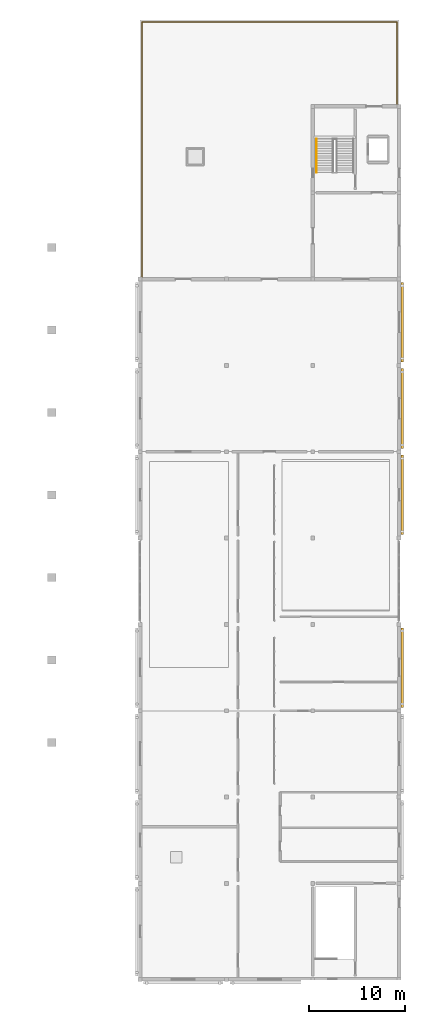
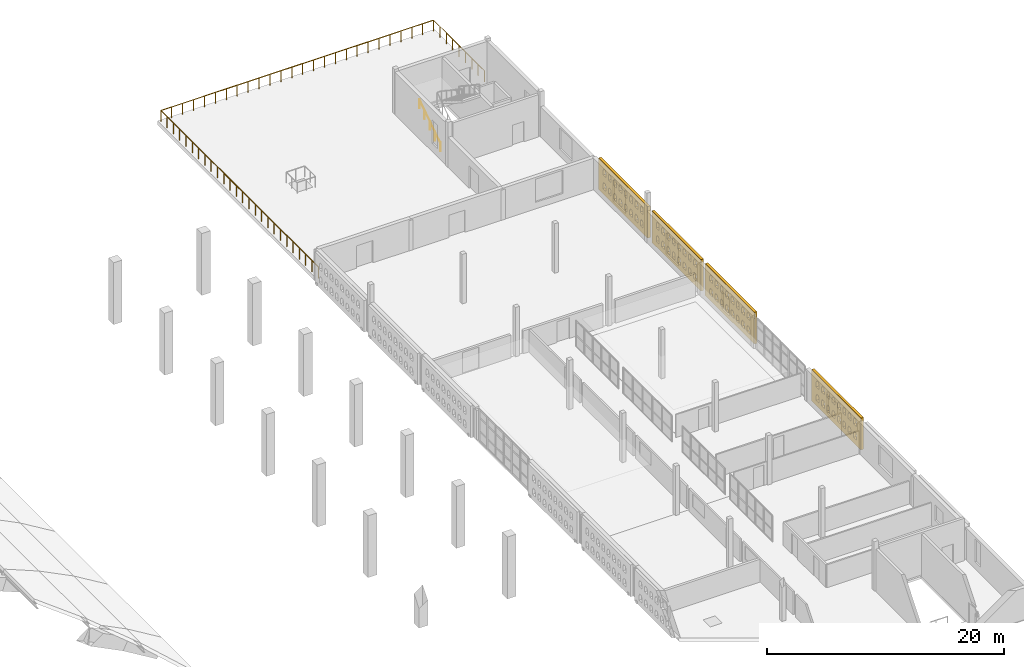
# One storey, part 29 of 30: 4 coverings, 2 railings.
"""IFC4 building model written with IfcOpenShell, lengths in metres."""

from ifc_helpers import new_model, si_unit, direction, frame, origin, origin_2d, place, context, subcontext, project, spatial, polyline, circle, outline, extrude, material, layer, layer_set, type_object, element, save


model = new_model("IFC4")

# Units and contexts
model_context = context("Model", 3, precision=1e-05, world=origin(), true_north=direction((0.0, 1.0)))
body_context = subcontext(model_context, "Body", "Model", "MODEL_VIEW")
ifc_project = project(units=[si_unit("LENGTHUNIT", "METRE"), si_unit("AREAUNIT", "SQUARE_METRE"), si_unit("VOLUMEUNIT", "CUBIC_METRE"), si_unit("PLANEANGLEUNIT", "RADIAN"), si_unit("MASSUNIT", "GRAM", prefix="KILO")], contexts=[model_context])

# Site, building, storey
site_placement = place(None, origin())
site = spatial("IfcSite", under=ifc_project, at=site_placement, CompositionType="ELEMENT")
building_placement = place(site_placement, origin())
building = spatial("IfcBuilding", under=site, at=building_placement, Name="Ornek Quay Market", CompositionType="ELEMENT")
storey_placement = place(building_placement, frame((0.0, 0.0, 12.0)))
storey = spatial("IfcBuildingStorey", under=building, at=storey_placement, Name="L03", CompositionType="ELEMENT", Elevation=12.0)

# Coverings
ifc_material_1 = material(Name="Frost-resistant facing clay brick M200 F100", Category="masonry")
ifc_layer = layer(ifc_material_1, 0.25, Name="Frost-resistant facing clay brick M200 F100", Category="masonry")
ifc_layer_set = layer_set([ifc_layer], Name="Frost-resistant facing clay brick M200 F100")
covering_type = type_object("IfcCoveringType", Name="COV-BRICK-LATTICE-250", PredefinedType="CLADDING", material=ifc_layer_set)
covering_1_placement = place(storey_placement, frame((180.330078125, 65.35009765625, 0.0), z_axis=(0.0, 0.0, 1.0), x_axis=(0.0, 1.0, 0.0)))
element("IfcCovering", 1, at=covering_1_placement, inside=storey, type_object=covering_type, Name="Arched brick lattice screen BLS-085", PredefinedType="CLADDING", context=body_context, shape_type="SweptSolid", body=[
    extrude(outline(polyline([(0.0, 0.0), (8.2998046875, 0.0), (8.2998046875, 3.25), (0.0, 3.25), (0.0, 0.0)]), holes=[polyline([(0.760009765625, 0.550048828125), (1.239990234375, 0.550048828125), (1.239990234375, 1.050048828125), (1.1201171875, 1.2578125), (0.8798828125, 1.2578125), (0.760009765625, 1.050048828125), (0.760009765625, 0.550048828125)]), polyline([(0.760009765625, 1.949951171875), (1.239990234375, 1.949951171875), (1.239990234375, 2.449951171875), (1.1201171875, 2.65771484375), (0.8798828125, 2.65771484375), (0.760009765625, 2.449951171875), (0.760009765625, 1.949951171875)]), polyline([(1.659912109375, 0.550048828125), (2.139892578125, 0.550048828125), (2.139892578125, 1.050048828125), (2.02001953125, 1.2578125), (1.780029296875, 1.2578125), (1.659912109375, 1.050048828125), (1.659912109375, 0.550048828125)]), polyline([(1.659912109375, 1.949951171875), (2.139892578125, 1.949951171875), (2.139892578125, 2.449951171875), (2.02001953125, 2.65771484375), (1.780029296875, 2.65771484375), (1.659912109375, 2.449951171875), (1.659912109375, 1.949951171875)]), polyline([(2.56005859375, 0.550048828125), (3.0400390625, 0.550048828125), (3.0400390625, 1.050048828125), (2.919921875, 1.2578125), (2.679931640625, 1.2578125), (2.56005859375, 1.050048828125), (2.56005859375, 0.550048828125)]), polyline([(2.56005859375, 1.949951171875), (3.0400390625, 1.949951171875), (3.0400390625, 2.449951171875), (2.919921875, 2.65771484375), (2.679931640625, 2.65771484375), (2.56005859375, 2.449951171875), (2.56005859375, 1.949951171875)]), polyline([(3.4599609375, 0.550048828125), (3.93994140625, 0.550048828125), (3.93994140625, 1.050048828125), (3.820068359375, 1.2578125), (3.580078125, 1.2578125), (3.4599609375, 1.050048828125), (3.4599609375, 0.550048828125)]), polyline([(3.4599609375, 1.949951171875), (3.93994140625, 1.949951171875), (3.93994140625, 2.449951171875), (3.820068359375, 2.65771484375), (3.580078125, 2.65771484375), (3.4599609375, 2.449951171875), (3.4599609375, 1.949951171875)]), polyline([(4.360107421875, 0.550048828125), (4.840087890625, 0.550048828125), (4.840087890625, 1.050048828125), (4.719970703125, 1.2578125), (4.47998046875, 1.2578125), (4.360107421875, 1.050048828125), (4.360107421875, 0.550048828125)]), polyline([(4.360107421875, 1.949951171875), (4.840087890625, 1.949951171875), (4.840087890625, 2.449951171875), (4.719970703125, 2.65771484375), (4.47998046875, 2.65771484375), (4.360107421875, 2.449951171875), (4.360107421875, 1.949951171875)]), polyline([(5.260009765625, 0.550048828125), (5.739990234375, 0.550048828125), (5.739990234375, 1.050048828125), (5.6201171875, 1.2578125), (5.3798828125, 1.2578125), (5.260009765625, 1.050048828125), (5.260009765625, 0.550048828125)]), polyline([(5.260009765625, 1.949951171875), (5.739990234375, 1.949951171875), (5.739990234375, 2.449951171875), (5.6201171875, 2.65771484375), (5.3798828125, 2.65771484375), (5.260009765625, 2.449951171875), (5.260009765625, 1.949951171875)]), polyline([(6.159912109375, 0.550048828125), (6.639892578125, 0.550048828125), (6.639892578125, 1.050048828125), (6.52001953125, 1.2578125), (6.280029296875, 1.2578125), (6.159912109375, 1.050048828125), (6.159912109375, 0.550048828125)]), polyline([(6.159912109375, 1.949951171875), (6.639892578125, 1.949951171875), (6.639892578125, 2.449951171875), (6.52001953125, 2.65771484375), (6.280029296875, 2.65771484375), (6.159912109375, 2.449951171875), (6.159912109375, 1.949951171875)]), polyline([(7.06005859375, 0.550048828125), (7.5400390625, 0.550048828125), (7.5400390625, 1.050048828125), (7.419921875, 1.2578125), (7.179931640625, 1.2578125), (7.06005859375, 1.050048828125), (7.06005859375, 0.550048828125)]), polyline([(7.06005859375, 1.949951171875), (7.5400390625, 1.949951171875), (7.5400390625, 2.449951171875), (7.419921875, 2.65771484375), (7.179931640625, 2.65771484375), (7.06005859375, 2.449951171875), (7.06005859375, 1.949951171875)])]), frame((0.0, 0.125, 0.0), z_axis=(0.0, -1.0, 0.0), x_axis=(1.0, 0.0, 0.0)), (0.0, 0.0, 1.0), 0.25),
])
covering_2_placement = place(storey_placement, frame((180.330078125, 74.35009765625, 0.0), z_axis=(0.0, 0.0, 1.0), x_axis=(0.0, 1.0, 0.0)))
element("IfcCovering", 2, at=covering_2_placement, inside=storey, type_object=covering_type, Name="Arched brick lattice screen BLS-087", PredefinedType="CLADDING", context=body_context, shape_type="SweptSolid", body=[
    extrude(outline(polyline([(0.0, 0.0), (8.2998046875, 0.0), (8.2998046875, 3.25), (0.0, 3.25), (0.0, 0.0)]), holes=[polyline([(0.760009765625, 0.550048828125), (1.239990234375, 0.550048828125), (1.239990234375, 1.050048828125), (1.1201171875, 1.2578125), (0.8798828125, 1.2578125), (0.760009765625, 1.050048828125), (0.760009765625, 0.550048828125)]), polyline([(0.760009765625, 1.949951171875), (1.239990234375, 1.949951171875), (1.239990234375, 2.449951171875), (1.1201171875, 2.65771484375), (0.8798828125, 2.65771484375), (0.760009765625, 2.449951171875), (0.760009765625, 1.949951171875)]), polyline([(1.659912109375, 0.550048828125), (2.139892578125, 0.550048828125), (2.139892578125, 1.050048828125), (2.02001953125, 1.2578125), (1.780029296875, 1.2578125), (1.659912109375, 1.050048828125), (1.659912109375, 0.550048828125)]), polyline([(1.659912109375, 1.949951171875), (2.139892578125, 1.949951171875), (2.139892578125, 2.449951171875), (2.02001953125, 2.65771484375), (1.780029296875, 2.65771484375), (1.659912109375, 2.449951171875), (1.659912109375, 1.949951171875)]), polyline([(2.56005859375, 0.550048828125), (3.0400390625, 0.550048828125), (3.0400390625, 1.050048828125), (2.919921875, 1.2578125), (2.679931640625, 1.2578125), (2.56005859375, 1.050048828125), (2.56005859375, 0.550048828125)]), polyline([(2.56005859375, 1.949951171875), (3.0400390625, 1.949951171875), (3.0400390625, 2.449951171875), (2.919921875, 2.65771484375), (2.679931640625, 2.65771484375), (2.56005859375, 2.449951171875), (2.56005859375, 1.949951171875)]), polyline([(3.4599609375, 0.550048828125), (3.93994140625, 0.550048828125), (3.93994140625, 1.050048828125), (3.820068359375, 1.2578125), (3.580078125, 1.2578125), (3.4599609375, 1.050048828125), (3.4599609375, 0.550048828125)]), polyline([(3.4599609375, 1.949951171875), (3.93994140625, 1.949951171875), (3.93994140625, 2.449951171875), (3.820068359375, 2.65771484375), (3.580078125, 2.65771484375), (3.4599609375, 2.449951171875), (3.4599609375, 1.949951171875)]), polyline([(4.360107421875, 0.550048828125), (4.840087890625, 0.550048828125), (4.840087890625, 1.050048828125), (4.719970703125, 1.2578125), (4.47998046875, 1.2578125), (4.360107421875, 1.050048828125), (4.360107421875, 0.550048828125)]), polyline([(4.360107421875, 1.949951171875), (4.840087890625, 1.949951171875), (4.840087890625, 2.449951171875), (4.719970703125, 2.65771484375), (4.47998046875, 2.65771484375), (4.360107421875, 2.449951171875), (4.360107421875, 1.949951171875)]), polyline([(5.260009765625, 0.550048828125), (5.739990234375, 0.550048828125), (5.739990234375, 1.050048828125), (5.6201171875, 1.2578125), (5.3798828125, 1.2578125), (5.260009765625, 1.050048828125), (5.260009765625, 0.550048828125)]), polyline([(5.260009765625, 1.949951171875), (5.739990234375, 1.949951171875), (5.739990234375, 2.449951171875), (5.6201171875, 2.65771484375), (5.3798828125, 2.65771484375), (5.260009765625, 2.449951171875), (5.260009765625, 1.949951171875)]), polyline([(6.159912109375, 0.550048828125), (6.639892578125, 0.550048828125), (6.639892578125, 1.050048828125), (6.52001953125, 1.2578125), (6.280029296875, 1.2578125), (6.159912109375, 1.050048828125), (6.159912109375, 0.550048828125)]), polyline([(6.159912109375, 1.949951171875), (6.639892578125, 1.949951171875), (6.639892578125, 2.449951171875), (6.52001953125, 2.65771484375), (6.280029296875, 2.65771484375), (6.159912109375, 2.449951171875), (6.159912109375, 1.949951171875)]), polyline([(7.06005859375, 0.550048828125), (7.5400390625, 0.550048828125), (7.5400390625, 1.050048828125), (7.419921875, 1.2578125), (7.179931640625, 1.2578125), (7.06005859375, 1.050048828125), (7.06005859375, 0.550048828125)]), polyline([(7.06005859375, 1.949951171875), (7.5400390625, 1.949951171875), (7.5400390625, 2.449951171875), (7.419921875, 2.65771484375), (7.179931640625, 2.65771484375), (7.06005859375, 2.449951171875), (7.06005859375, 1.949951171875)])]), frame((0.0, 0.125, 0.0), z_axis=(0.0, -1.0, 0.0), x_axis=(1.0, 0.0, 0.0)), (0.0, 0.0, 1.0), 0.25),
])
covering_3_placement = place(storey_placement, frame((180.330078125, 38.35009765625, 0.0), z_axis=(0.0, 0.0, 1.0), x_axis=(0.0, 1.0, 0.0)))
element("IfcCovering", 3, at=covering_3_placement, inside=storey, type_object=covering_type, Name="Arched brick lattice screen BLS-126", PredefinedType="CLADDING", context=body_context, shape_type="SweptSolid", body=[
    extrude(outline(polyline([(0.0, 0.0), (8.2998046875, 0.0), (8.2998046875, 3.280029296875), (0.0, 3.280029296875), (0.0, 0.0)]), holes=[polyline([(0.760009765625, 0.550048828125), (1.239990234375, 0.550048828125), (1.239990234375, 1.050048828125), (1.1201171875, 1.2578125), (0.8798828125, 1.2578125), (0.760009765625, 1.050048828125), (0.760009765625, 0.550048828125)]), polyline([(0.760009765625, 1.949951171875), (1.239990234375, 1.949951171875), (1.239990234375, 2.449951171875), (1.1201171875, 2.65771484375), (0.8798828125, 2.65771484375), (0.760009765625, 2.449951171875), (0.760009765625, 1.949951171875)]), polyline([(1.659912109375, 0.550048828125), (2.139892578125, 0.550048828125), (2.139892578125, 1.050048828125), (2.02001953125, 1.2578125), (1.780029296875, 1.2578125), (1.659912109375, 1.050048828125), (1.659912109375, 0.550048828125)]), polyline([(1.659912109375, 1.949951171875), (2.139892578125, 1.949951171875), (2.139892578125, 2.449951171875), (2.02001953125, 2.65771484375), (1.780029296875, 2.65771484375), (1.659912109375, 2.449951171875), (1.659912109375, 1.949951171875)]), polyline([(2.56005859375, 0.550048828125), (3.0400390625, 0.550048828125), (3.0400390625, 1.050048828125), (2.919921875, 1.2578125), (2.679931640625, 1.2578125), (2.56005859375, 1.050048828125), (2.56005859375, 0.550048828125)]), polyline([(2.56005859375, 1.949951171875), (3.0400390625, 1.949951171875), (3.0400390625, 2.449951171875), (2.919921875, 2.65771484375), (2.679931640625, 2.65771484375), (2.56005859375, 2.449951171875), (2.56005859375, 1.949951171875)]), polyline([(3.4599609375, 0.550048828125), (3.93994140625, 0.550048828125), (3.93994140625, 1.050048828125), (3.820068359375, 1.2578125), (3.580078125, 1.2578125), (3.4599609375, 1.050048828125), (3.4599609375, 0.550048828125)]), polyline([(3.4599609375, 1.949951171875), (3.93994140625, 1.949951171875), (3.93994140625, 2.449951171875), (3.820068359375, 2.65771484375), (3.580078125, 2.65771484375), (3.4599609375, 2.449951171875), (3.4599609375, 1.949951171875)]), polyline([(4.360107421875, 0.550048828125), (4.840087890625, 0.550048828125), (4.840087890625, 1.050048828125), (4.719970703125, 1.2578125), (4.47998046875, 1.2578125), (4.360107421875, 1.050048828125), (4.360107421875, 0.550048828125)]), polyline([(4.360107421875, 1.949951171875), (4.840087890625, 1.949951171875), (4.840087890625, 2.449951171875), (4.719970703125, 2.65771484375), (4.47998046875, 2.65771484375), (4.360107421875, 2.449951171875), (4.360107421875, 1.949951171875)]), polyline([(5.260009765625, 0.550048828125), (5.739990234375, 0.550048828125), (5.739990234375, 1.050048828125), (5.6201171875, 1.2578125), (5.3798828125, 1.2578125), (5.260009765625, 1.050048828125), (5.260009765625, 0.550048828125)]), polyline([(5.260009765625, 1.949951171875), (5.739990234375, 1.949951171875), (5.739990234375, 2.449951171875), (5.6201171875, 2.65771484375), (5.3798828125, 2.65771484375), (5.260009765625, 2.449951171875), (5.260009765625, 1.949951171875)]), polyline([(6.159912109375, 0.550048828125), (6.639892578125, 0.550048828125), (6.639892578125, 1.050048828125), (6.52001953125, 1.2578125), (6.280029296875, 1.2578125), (6.159912109375, 1.050048828125), (6.159912109375, 0.550048828125)]), polyline([(6.159912109375, 1.949951171875), (6.639892578125, 1.949951171875), (6.639892578125, 2.449951171875), (6.52001953125, 2.65771484375), (6.280029296875, 2.65771484375), (6.159912109375, 2.449951171875), (6.159912109375, 1.949951171875)]), polyline([(7.06005859375, 0.550048828125), (7.5400390625, 0.550048828125), (7.5400390625, 1.050048828125), (7.419921875, 1.2578125), (7.179931640625, 1.2578125), (7.06005859375, 1.050048828125), (7.06005859375, 0.550048828125)]), polyline([(7.06005859375, 1.949951171875), (7.5400390625, 1.949951171875), (7.5400390625, 2.449951171875), (7.419921875, 2.65771484375), (7.179931640625, 2.65771484375), (7.06005859375, 2.449951171875), (7.06005859375, 1.949951171875)])]), frame((0.0, 0.125, 0.0), z_axis=(0.0, -1.0, 0.0), x_axis=(1.0, 0.0, 0.0)), (0.0, 0.0, 1.0), 0.25),
])
covering_4_placement = place(storey_placement, frame((180.330078125, 56.35009765625, 0.0), z_axis=(0.0, 0.0, 1.0), x_axis=(0.0, 1.0, 0.0)))
element("IfcCovering", 4, at=covering_4_placement, inside=storey, type_object=covering_type, Name="Arched brick lattice screen BLS-127", PredefinedType="CLADDING", context=body_context, shape_type="SweptSolid", body=[
    extrude(outline(polyline([(0.0, 0.0), (8.2998046875, 0.0), (8.2998046875, 3.280029296875), (0.0, 3.280029296875), (0.0, 0.0)]), holes=[polyline([(0.760009765625, 0.550048828125), (1.239990234375, 0.550048828125), (1.239990234375, 1.050048828125), (1.1201171875, 1.2578125), (0.8798828125, 1.2578125), (0.760009765625, 1.050048828125), (0.760009765625, 0.550048828125)]), polyline([(0.760009765625, 1.949951171875), (1.239990234375, 1.949951171875), (1.239990234375, 2.449951171875), (1.1201171875, 2.65771484375), (0.8798828125, 2.65771484375), (0.760009765625, 2.449951171875), (0.760009765625, 1.949951171875)]), polyline([(1.659912109375, 0.550048828125), (2.139892578125, 0.550048828125), (2.139892578125, 1.050048828125), (2.02001953125, 1.2578125), (1.780029296875, 1.2578125), (1.659912109375, 1.050048828125), (1.659912109375, 0.550048828125)]), polyline([(1.659912109375, 1.949951171875), (2.139892578125, 1.949951171875), (2.139892578125, 2.449951171875), (2.02001953125, 2.65771484375), (1.780029296875, 2.65771484375), (1.659912109375, 2.449951171875), (1.659912109375, 1.949951171875)]), polyline([(2.56005859375, 0.550048828125), (3.0400390625, 0.550048828125), (3.0400390625, 1.050048828125), (2.919921875, 1.2578125), (2.679931640625, 1.2578125), (2.56005859375, 1.050048828125), (2.56005859375, 0.550048828125)]), polyline([(2.56005859375, 1.949951171875), (3.0400390625, 1.949951171875), (3.0400390625, 2.449951171875), (2.919921875, 2.65771484375), (2.679931640625, 2.65771484375), (2.56005859375, 2.449951171875), (2.56005859375, 1.949951171875)]), polyline([(3.4599609375, 0.550048828125), (3.93994140625, 0.550048828125), (3.93994140625, 1.050048828125), (3.820068359375, 1.2578125), (3.580078125, 1.2578125), (3.4599609375, 1.050048828125), (3.4599609375, 0.550048828125)]), polyline([(3.4599609375, 1.949951171875), (3.93994140625, 1.949951171875), (3.93994140625, 2.449951171875), (3.820068359375, 2.65771484375), (3.580078125, 2.65771484375), (3.4599609375, 2.449951171875), (3.4599609375, 1.949951171875)]), polyline([(4.360107421875, 0.550048828125), (4.840087890625, 0.550048828125), (4.840087890625, 1.050048828125), (4.719970703125, 1.2578125), (4.47998046875, 1.2578125), (4.360107421875, 1.050048828125), (4.360107421875, 0.550048828125)]), polyline([(4.360107421875, 1.949951171875), (4.840087890625, 1.949951171875), (4.840087890625, 2.449951171875), (4.719970703125, 2.65771484375), (4.47998046875, 2.65771484375), (4.360107421875, 2.449951171875), (4.360107421875, 1.949951171875)]), polyline([(5.260009765625, 0.550048828125), (5.739990234375, 0.550048828125), (5.739990234375, 1.050048828125), (5.6201171875, 1.2578125), (5.3798828125, 1.2578125), (5.260009765625, 1.050048828125), (5.260009765625, 0.550048828125)]), polyline([(5.260009765625, 1.949951171875), (5.739990234375, 1.949951171875), (5.739990234375, 2.449951171875), (5.6201171875, 2.65771484375), (5.3798828125, 2.65771484375), (5.260009765625, 2.449951171875), (5.260009765625, 1.949951171875)]), polyline([(6.159912109375, 0.550048828125), (6.639892578125, 0.550048828125), (6.639892578125, 1.050048828125), (6.52001953125, 1.2578125), (6.280029296875, 1.2578125), (6.159912109375, 1.050048828125), (6.159912109375, 0.550048828125)]), polyline([(6.159912109375, 1.949951171875), (6.639892578125, 1.949951171875), (6.639892578125, 2.449951171875), (6.52001953125, 2.65771484375), (6.280029296875, 2.65771484375), (6.159912109375, 2.449951171875), (6.159912109375, 1.949951171875)]), polyline([(7.06005859375, 0.550048828125), (7.5400390625, 0.550048828125), (7.5400390625, 1.050048828125), (7.419921875, 1.2578125), (7.179931640625, 1.2578125), (7.06005859375, 1.050048828125), (7.06005859375, 0.550048828125)]), polyline([(7.06005859375, 1.949951171875), (7.5400390625, 1.949951171875), (7.5400390625, 2.449951171875), (7.419921875, 2.65771484375), (7.179931640625, 2.65771484375), (7.06005859375, 2.449951171875), (7.06005859375, 1.949951171875)])]), frame((0.0, 0.125, 0.0), z_axis=(0.0, -1.0, 0.0), x_axis=(1.0, 0.0, 0.0)), (0.0, 0.0, 1.0), 0.25),
])

# Railings
ifc_material_2 = material(Name="Anodised bronze steel and laminated safety glass", Category="steel")
railing_type_1 = type_object("IfcRailingType", Name="RL-GUARD-TER-1150", PredefinedType="BALUSTRADE", material=ifc_material_2)
railing_1_placement = place(storey_placement, frame((153.199951171875, 83.199951171875, 0.0)))
element("IfcRailing", 5, at=railing_1_placement, inside=storey, type_object=railing_type_1, Name="Terrace balustrade GT-03", PredefinedType="BALUSTRADE", context=body_context, shape_type="SweptSolid", body=[
    extrude(circle(Radius=0.02392578125, at=origin_2d()), frame((0.0, 0.0, 1.1259765625), z_axis=(0.0, 1.0, 0.0), x_axis=(-1.0, 0.0, 0.0)), (0.0, 0.0, 1.0), 26.570068359375),
    extrude(circle(Radius=0.02392578125, at=origin_2d()), frame((0.030029296875, 26.60009765625, 1.1259765625), z_axis=(1.0, 0.0, 0.0), x_axis=(0.0, 1.0, 0.0)), (0.0, 0.0, 1.0), 26.5400390625),
    extrude(circle(Radius=0.02392578125, at=origin_2d()), frame((26.60009765625, 26.570068359375, 1.1259765625), z_axis=(0.0, -1.0, 0.0), x_axis=(1.0, 0.0, 0.0)), (0.0, 0.0, 1.0), 8.570068359375),
    extrude(circle(Radius=0.02099609375, at=origin_2d()), origin(), (0.0, 0.0, 1.0), 1.097900390625),
    extrude(circle(Radius=0.02099609375, at=origin_2d()), frame((0.0, 1.06396484375, 0.0)), (0.0, 0.0, 1.0), 1.097900390625),
    extrude(circle(Radius=0.02099609375, at=origin_2d()), frame((0.0, 2.1279296875, 0.0)), (0.0, 0.0, 1.0), 1.097900390625),
    extrude(circle(Radius=0.02099609375, at=origin_2d()), frame((0.0, 3.19189453125, 0.0)), (0.0, 0.0, 1.0), 1.097900390625),
    extrude(circle(Radius=0.02099609375, at=origin_2d()), frame((0.0, 4.256103515625, 0.0)), (0.0, 0.0, 1.0), 1.097900390625),
    extrude(circle(Radius=0.02099609375, at=origin_2d()), frame((0.0, 5.320068359375, 0.0)), (0.0, 0.0, 1.0), 1.097900390625),
    extrude(circle(Radius=0.02099609375, at=origin_2d()), frame((0.0, 6.384033203125, 0.0)), (0.0, 0.0, 1.0), 1.097900390625),
    extrude(circle(Radius=0.02099609375, at=origin_2d()), frame((0.0, 7.447998046875, 0.0)), (0.0, 0.0, 1.0), 1.097900390625),
    extrude(circle(Radius=0.02099609375, at=origin_2d()), frame((0.0, 8.511962890625, 0.0)), (0.0, 0.0, 1.0), 1.097900390625),
    extrude(circle(Radius=0.02099609375, at=origin_2d()), frame((0.0, 9.575927734375, 0.0)), (0.0, 0.0, 1.0), 1.097900390625),
    extrude(circle(Radius=0.02099609375, at=origin_2d()), frame((0.0, 10.64013671875, 0.0)), (0.0, 0.0, 1.0), 1.097900390625),
    extrude(circle(Radius=0.02099609375, at=origin_2d()), frame((0.0, 11.7041015625, 0.0)), (0.0, 0.0, 1.0), 1.097900390625),
    extrude(circle(Radius=0.02099609375, at=origin_2d()), frame((0.0, 12.76806640625, 0.0)), (0.0, 0.0, 1.0), 1.097900390625),
    extrude(circle(Radius=0.02099609375, at=origin_2d()), frame((0.0, 13.83203125, 0.0)), (0.0, 0.0, 1.0), 1.097900390625),
    extrude(circle(Radius=0.02099609375, at=origin_2d()), frame((0.0, 14.89599609375, 0.0)), (0.0, 0.0, 1.0), 1.097900390625),
    extrude(circle(Radius=0.02099609375, at=origin_2d()), frame((0.0, 15.9599609375, 0.0)), (0.0, 0.0, 1.0), 1.097900390625),
    extrude(circle(Radius=0.02099609375, at=origin_2d()), frame((0.0, 17.024169921875, 0.0)), (0.0, 0.0, 1.0), 1.097900390625),
    extrude(circle(Radius=0.02099609375, at=origin_2d()), frame((0.0, 18.088134765625, 0.0)), (0.0, 0.0, 1.0), 1.097900390625),
    extrude(circle(Radius=0.02099609375, at=origin_2d()), frame((0.0, 19.152099609375, 0.0)), (0.0, 0.0, 1.0), 1.097900390625),
    extrude(circle(Radius=0.02099609375, at=origin_2d()), frame((0.0, 20.216064453125, 0.0)), (0.0, 0.0, 1.0), 1.097900390625),
    extrude(circle(Radius=0.02099609375, at=origin_2d()), frame((0.0, 21.280029296875, 0.0)), (0.0, 0.0, 1.0), 1.097900390625),
    extrude(circle(Radius=0.02099609375, at=origin_2d()), frame((0.0, 22.343994140625, 0.0)), (0.0, 0.0, 1.0), 1.097900390625),
    extrude(circle(Radius=0.02099609375, at=origin_2d()), frame((0.0, 23.408203125, 0.0)), (0.0, 0.0, 1.0), 1.097900390625),
    extrude(circle(Radius=0.02099609375, at=origin_2d()), frame((0.0, 24.47216796875, 0.0)), (0.0, 0.0, 1.0), 1.097900390625),
    extrude(circle(Radius=0.02099609375, at=origin_2d()), frame((0.0, 25.5361328125, 0.0)), (0.0, 0.0, 1.0), 1.097900390625),
    extrude(circle(Radius=0.02099609375, at=origin_2d()), frame((0.0, 26.60009765625, 0.0)), (0.0, 0.0, 1.0), 1.097900390625),
    extrude(circle(Radius=0.02099609375, at=origin_2d()), frame((1.06396484375, 26.60009765625, 0.0)), (0.0, 0.0, 1.0), 1.097900390625),
    extrude(circle(Radius=0.02099609375, at=origin_2d()), frame((2.1279296875, 26.60009765625, 0.0)), (0.0, 0.0, 1.0), 1.097900390625),
    extrude(circle(Radius=0.02099609375, at=origin_2d()), frame((3.19189453125, 26.60009765625, 0.0)), (0.0, 0.0, 1.0), 1.097900390625),
    extrude(circle(Radius=0.02099609375, at=origin_2d()), frame((4.256103515625, 26.60009765625, 0.0)), (0.0, 0.0, 1.0), 1.097900390625),
    extrude(circle(Radius=0.02099609375, at=origin_2d()), frame((5.320068359375, 26.60009765625, 0.0)), (0.0, 0.0, 1.0), 1.097900390625),
    extrude(circle(Radius=0.02099609375, at=origin_2d()), frame((6.384033203125, 26.60009765625, 0.0)), (0.0, 0.0, 1.0), 1.097900390625),
    extrude(circle(Radius=0.02099609375, at=origin_2d()), frame((7.447998046875, 26.60009765625, 0.0)), (0.0, 0.0, 1.0), 1.097900390625),
    extrude(circle(Radius=0.02099609375, at=origin_2d()), frame((8.511962890625, 26.60009765625, 0.0)), (0.0, 0.0, 1.0), 1.097900390625),
    extrude(circle(Radius=0.02099609375, at=origin_2d()), frame((9.575927734375, 26.60009765625, 0.0)), (0.0, 0.0, 1.0), 1.097900390625),
    extrude(circle(Radius=0.02099609375, at=origin_2d()), frame((10.64013671875, 26.60009765625, 0.0)), (0.0, 0.0, 1.0), 1.097900390625),
    extrude(circle(Radius=0.02099609375, at=origin_2d()), frame((11.7041015625, 26.60009765625, 0.0)), (0.0, 0.0, 1.0), 1.097900390625),
    extrude(circle(Radius=0.02099609375, at=origin_2d()), frame((12.76806640625, 26.60009765625, 0.0)), (0.0, 0.0, 1.0), 1.097900390625),
    extrude(circle(Radius=0.02099609375, at=origin_2d()), frame((13.83203125, 26.60009765625, 0.0)), (0.0, 0.0, 1.0), 1.097900390625),
    extrude(circle(Radius=0.02099609375, at=origin_2d()), frame((14.89599609375, 26.60009765625, 0.0)), (0.0, 0.0, 1.0), 1.097900390625),
    extrude(circle(Radius=0.02099609375, at=origin_2d()), frame((15.9599609375, 26.60009765625, 0.0)), (0.0, 0.0, 1.0), 1.097900390625),
    extrude(circle(Radius=0.02099609375, at=origin_2d()), frame((17.024169921875, 26.60009765625, 0.0)), (0.0, 0.0, 1.0), 1.097900390625),
    extrude(circle(Radius=0.02099609375, at=origin_2d()), frame((18.088134765625, 26.60009765625, 0.0)), (0.0, 0.0, 1.0), 1.097900390625),
    extrude(circle(Radius=0.02099609375, at=origin_2d()), frame((19.152099609375, 26.60009765625, 0.0)), (0.0, 0.0, 1.0), 1.097900390625),
    extrude(circle(Radius=0.02099609375, at=origin_2d()), frame((20.216064453125, 26.60009765625, 0.0)), (0.0, 0.0, 1.0), 1.097900390625),
    extrude(circle(Radius=0.02099609375, at=origin_2d()), frame((21.280029296875, 26.60009765625, 0.0)), (0.0, 0.0, 1.0), 1.097900390625),
    extrude(circle(Radius=0.02099609375, at=origin_2d()), frame((22.343994140625, 26.60009765625, 0.0)), (0.0, 0.0, 1.0), 1.097900390625),
    extrude(circle(Radius=0.02099609375, at=origin_2d()), frame((23.408203125, 26.60009765625, 0.0)), (0.0, 0.0, 1.0), 1.097900390625),
    extrude(circle(Radius=0.02099609375, at=origin_2d()), frame((24.47216796875, 26.60009765625, 0.0)), (0.0, 0.0, 1.0), 1.097900390625),
    extrude(circle(Radius=0.02099609375, at=origin_2d()), frame((25.5361328125, 26.60009765625, 0.0)), (0.0, 0.0, 1.0), 1.097900390625),
    extrude(circle(Radius=0.02099609375, at=origin_2d()), frame((26.60009765625, 26.60009765625, 0.0)), (0.0, 0.0, 1.0), 1.097900390625),
    extrude(circle(Radius=0.02099609375, at=origin_2d()), frame((26.60009765625, 25.525146484375, 0.0)), (0.0, 0.0, 1.0), 1.097900390625),
    extrude(circle(Radius=0.02099609375, at=origin_2d()), frame((26.60009765625, 24.4501953125, 0.0)), (0.0, 0.0, 1.0), 1.097900390625),
    extrude(circle(Radius=0.02099609375, at=origin_2d()), frame((26.60009765625, 23.375, 0.0)), (0.0, 0.0, 1.0), 1.097900390625),
    extrude(circle(Radius=0.02099609375, at=origin_2d()), frame((26.60009765625, 22.300048828125, 0.0)), (0.0, 0.0, 1.0), 1.097900390625),
    extrude(circle(Radius=0.02099609375, at=origin_2d()), frame((26.60009765625, 21.22509765625, 0.0)), (0.0, 0.0, 1.0), 1.097900390625),
    extrude(circle(Radius=0.02099609375, at=origin_2d()), frame((26.60009765625, 20.14990234375, 0.0)), (0.0, 0.0, 1.0), 1.097900390625),
    extrude(circle(Radius=0.02099609375, at=origin_2d()), frame((26.60009765625, 19.074951171875, 0.0)), (0.0, 0.0, 1.0), 1.097900390625),
    extrude(circle(Radius=0.02099609375, at=origin_2d()), frame((26.60009765625, 18.0, 0.0)), (0.0, 0.0, 1.0), 1.097900390625),
])
ifc_material_3 = material(Name="Brushed stainless steel 316", Category="steel")
railing_type_2 = type_object("IfcRailingType", Name="RL-HANDRAIL-920", PredefinedType="HANDRAIL", material=ifc_material_3)
railing_2_placement = place(storey_placement, frame((171.3798828125, 94.095947265625, 0.080078125)))
element("IfcRailing", 6, at=railing_2_placement, inside=storey, type_object=railing_type_2, Name="Railing HR-01-050", PredefinedType="HANDRAIL", context=body_context, shape_type="SweptSolid", body=[
    extrude(circle(Radius=0.02392578125, at=origin_2d()), frame((0.0, 0.0, 0.89599609375), z_axis=(0.0, 0.83268490818, 0.553747093617), x_axis=(-1.0, 0.0, 0.0)), (0.0, 0.0, 1.0), 4.198486328125),
    extrude(circle(Radius=0.02099609375, at=origin_2d()), origin(), (0.0, 0.0, 1.0), 0.867919921875),
    extrude(circle(Radius=0.02099609375, at=origin_2d()), frame((0.0, 0.8740234375, 0.581298828125)), (0.0, 0.0, 1.0), 0.867919921875),
    extrude(circle(Radius=0.02099609375, at=origin_2d()), frame((0.0, 1.748046875, 1.16259765625)), (0.0, 0.0, 1.0), 0.867919921875),
    extrude(circle(Radius=0.02099609375, at=origin_2d()), frame((0.0, 2.6220703125, 1.74365234375)), (0.0, 0.0, 1.0), 0.867919921875),
    extrude(circle(Radius=0.02099609375, at=origin_2d()), frame((0.0, 3.49609375, 2.324951171875)), (0.0, 0.0, 1.0), 0.867919921875),
])

save(model, "model.ifc")
